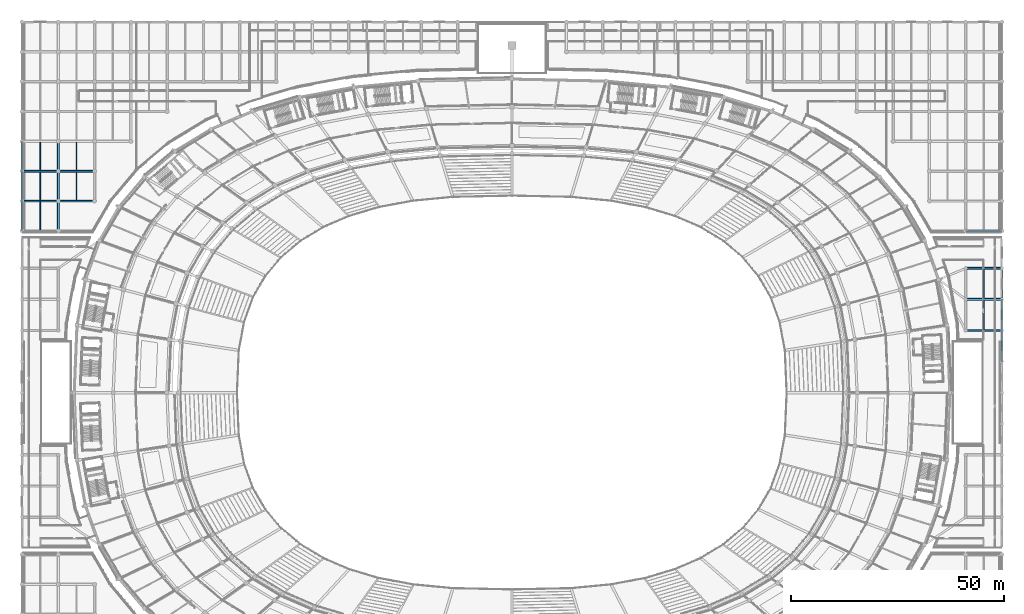
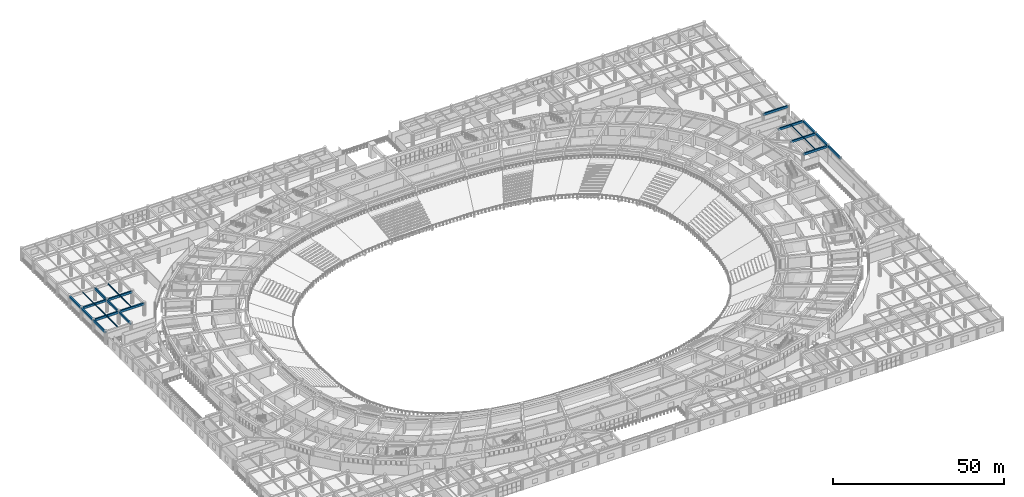
# One storey, part 54 of 152: 24 beams.
"""IFC4 building model written with IfcOpenShell, lengths in metres."""

from ifc_helpers import new_model, si_unit, direction, frame, origin, origin_2d, place, context, subcontext, project, spatial, rectangle, i_section, extrude, material, material_profile, profile_set, type_object, element, save


model = new_model("IFC4")

# Units and contexts
model_context = context("Model", 3, precision=1e-05, world=origin(), true_north=direction((0.0, 1.0)))
body_context = subcontext(model_context, "Body", "Model", "MODEL_VIEW")
ifc_project = project(units=[si_unit("LENGTHUNIT", "METRE"), si_unit("AREAUNIT", "SQUARE_METRE"), si_unit("VOLUMEUNIT", "CUBIC_METRE"), si_unit("PLANEANGLEUNIT", "RADIAN"), si_unit("MASSUNIT", "GRAM", prefix="KILO")], contexts=[model_context])

# Site, building, storey
site_placement = place(None, origin())
site = spatial("IfcSite", under=ifc_project, at=site_placement, CompositionType="ELEMENT")
building_placement = place(site_placement, origin())
building = spatial("IfcBuilding", under=site, at=building_placement, Name="Mphavela Belvedere Stadium", CompositionType="ELEMENT")
storey_placement = place(building_placement, frame((0.0, 0.0, 5.39990234375)))
storey = spatial("IfcBuildingStorey", under=building, at=storey_placement, Name="L01", CompositionType="ELEMENT", Elevation=5.39990234375)

# Beams
ifc_material_1 = material(Name="Steel S355", Category="steel")
ifc_material_profile_1 = material_profile(ifc_material_1, i_section(OverallWidth=0.169921875, OverallDepth=0.360107421875, WebThickness=0.008056640625, FlangeThickness=0.0126953125, at=origin_2d()), Name="IPE 360")
ifc_profile_set_1 = profile_set([ifc_material_profile_1], Name="Steel S355")
beam_type_1 = type_object("IfcBeamType", Name="BM-JOIST-IPE360", PredefinedType="JOIST", material=ifc_profile_set_1)
for number, where, z_axis, x_axis, name in (
    (1, (4.259521484375, 125.22509765625, 4.360107421875), (0.0, 1.0, 0.0), (-1.0, 0.0, 0.0), "North Mast and Ceremonial End Forecourt secondary joist L01 1-1"),
    (2, (4.259521484375, 132.22509765625, 4.360107421875), (0.0, 1.0, 0.0), (-1.0, 0.0, 0.0), "North Mast and Ceremonial End Forecourt secondary joist L01 1-2"),
    (3, (4.259521484375, 139.22509765625, 4.360107421875), (0.0, 1.0, 0.0), (-1.0, 0.0, 0.0), "North Mast and Ceremonial End Forecourt secondary joist L01 1-3"),
    (4, (12.778076171875, 132.22509765625, 4.360107421875), (0.0, 1.0, 0.0), (-1.0, 0.0, 0.0), "North Mast and Ceremonial End Forecourt secondary joist L01 2-2"),
    (5, (12.778076171875, 139.22509765625, 4.360107421875), (0.0, 1.0, 0.0), (-1.0, 0.0, 0.0), "North Mast and Ceremonial End Forecourt secondary joist L01 2-3"),
):
    element("IfcBeam", number, at=place(storey_placement, frame(where, z_axis=z_axis, x_axis=x_axis)), inside=storey, type_object=beam_type_1, Name=name, PredefinedType="JOIST", context=body_context, shape_type="SweptSolid", body=[
        extrude(i_section(OverallWidth=0.169921875, OverallDepth=0.360107421875, WebThickness=0.008056640625, FlangeThickness=0.0126953125, at=origin_2d()), origin(), (0.0, 0.0, 1.0), 6.5498046875),
    ])
for number, where, z_axis, x_axis, name in (
    (6, (225.75, 101.824951171875, 4.360107421875), (0.0, 1.0, 0.0), (-1.0, 0.0, 0.0), "East Planted Eaves Peristyle Colonnade secondary joist L01 8-8"),
    (7, (225.75, 109.125, 4.360107421875), (0.0, 1.0, 0.0), (-1.0, 0.0, 0.0), "East Planted Eaves Peristyle Colonnade secondary joist L01 8-9"),
):
    element("IfcBeam", number, at=place(storey_placement, frame(where, z_axis=z_axis, x_axis=x_axis)), inside=storey, type_object=beam_type_1, Name=name, PredefinedType="JOIST", context=body_context, shape_type="SweptSolid", body=[
        extrude(i_section(OverallWidth=0.169921875, OverallDepth=0.360107421875, WebThickness=0.008056640625, FlangeThickness=0.0126953125, at=origin_2d()), origin(), (0.0, 0.0, 1.0), 6.85009765625),
    ])
ifc_material_2 = material(Name="Concrete C40/50", Category="concrete")
ifc_material_profile_2 = material_profile(ifc_material_2, rectangle(XDim=0.449951171875, YDim=0.75, at=origin_2d()), Name="RC 450x750")
ifc_profile_set_2 = profile_set([ifc_material_profile_2], Name="Concrete C40/50")
beam_type_2 = type_object("IfcBeamType", Name="BM-RC450x750", PredefinedType="BEAM", material=ifc_profile_set_2)
beam_1_placement = place(storey_placement, frame((0.0, 125.0, 4.1650390625), z_axis=(0.0, 1.0, 0.0), x_axis=(-1.0, 0.0, 0.0)))
element("IfcBeam", 8, at=beam_1_placement, inside=storey, type_object=beam_type_2, Name="North Mast and Ceremonial End Forecourt entablature beam Y L01 1-1", PredefinedType="BEAM", context=body_context, shape_type="SweptSolid", body=[
    extrude(rectangle(XDim=0.449951171875, YDim=0.75, at=origin_2d()), origin(), (0.0, 0.0, 1.0), 7.0),
])
beam_2_placement = place(storey_placement, frame((0.0, 132.0, 4.1650390625), z_axis=(1.0, 0.0, 0.0), x_axis=(0.0, 1.0, 0.0)))
element("IfcBeam", 9, at=beam_2_placement, inside=storey, type_object=beam_type_2, Name="North Mast and Ceremonial End Forecourt entablature beam X L01 1-2", PredefinedType="BEAM", context=body_context, shape_type="SweptSolid", body=[
    extrude(rectangle(XDim=0.449951171875, YDim=0.75, at=origin_2d()), origin(), (0.0, 0.0, 1.0), 8.51904296875),
])
beam_3_placement = place(storey_placement, frame((0.0, 132.0, 4.1650390625), z_axis=(0.0, 1.0, 0.0), x_axis=(-1.0, 0.0, 0.0)))
element("IfcBeam", 10, at=beam_3_placement, inside=storey, type_object=beam_type_2, Name="North Mast and Ceremonial End Forecourt entablature beam Y L01 1-2", PredefinedType="BEAM", context=body_context, shape_type="SweptSolid", body=[
    extrude(rectangle(XDim=0.449951171875, YDim=0.75, at=origin_2d()), origin(), (0.0, 0.0, 1.0), 7.0),
])
beam_4_placement = place(storey_placement, frame((0.0, 139.0, 4.1650390625), z_axis=(1.0, 0.0, 0.0), x_axis=(0.0, 1.0, 0.0)))
element("IfcBeam", 11, at=beam_4_placement, inside=storey, type_object=beam_type_2, Name="North Mast and Ceremonial End Forecourt entablature beam X L01 1-3", PredefinedType="BEAM", context=body_context, shape_type="SweptSolid", body=[
    extrude(rectangle(XDim=0.449951171875, YDim=0.75, at=origin_2d()), origin(), (0.0, 0.0, 1.0), 8.51904296875),
])
for number, where, z_axis, x_axis, name in (
    (12, (0.0, 139.0, 4.1650390625), (0.0, 1.0, 0.0), (-1.0, 0.0, 0.0), "North Mast and Ceremonial End Forecourt entablature beam Y L01 1-3"),
    (13, (8.51904296875, 125.0, 4.1650390625), (0.0, 1.0, 0.0), (-1.0, 0.0, 0.0), "North Mast and Ceremonial End Forecourt entablature beam Y L01 2-1"),
):
    element("IfcBeam", number, at=place(storey_placement, frame(where, z_axis=z_axis, x_axis=x_axis)), inside=storey, type_object=beam_type_2, Name=name, PredefinedType="BEAM", context=body_context, shape_type="SweptSolid", body=[
        extrude(rectangle(XDim=0.449951171875, YDim=0.75, at=origin_2d()), origin(), (0.0, 0.0, 1.0), 7.0),
    ])
beam_5_placement = place(storey_placement, frame((8.51904296875, 132.0, 4.1650390625), z_axis=(1.0, 0.0, 0.0), x_axis=(0.0, 1.0, 0.0)))
element("IfcBeam", 14, at=beam_5_placement, inside=storey, type_object=beam_type_2, Name="North Mast and Ceremonial End Forecourt entablature beam X L01 2-2", PredefinedType="BEAM", context=body_context, shape_type="SweptSolid", body=[
    extrude(rectangle(XDim=0.449951171875, YDim=0.75, at=origin_2d()), origin(), (0.0, 0.0, 1.0), 8.51806640625),
])
beam_6_placement = place(storey_placement, frame((8.51904296875, 132.0, 4.1650390625), z_axis=(0.0, 1.0, 0.0), x_axis=(-1.0, 0.0, 0.0)))
element("IfcBeam", 15, at=beam_6_placement, inside=storey, type_object=beam_type_2, Name="North Mast and Ceremonial End Forecourt entablature beam Y L01 2-2", PredefinedType="BEAM", context=body_context, shape_type="SweptSolid", body=[
    extrude(rectangle(XDim=0.449951171875, YDim=0.75, at=origin_2d()), origin(), (0.0, 0.0, 1.0), 7.0),
])
beam_7_placement = place(storey_placement, frame((8.51904296875, 139.0, 4.1650390625), z_axis=(1.0, 0.0, 0.0), x_axis=(0.0, 1.0, 0.0)))
element("IfcBeam", 16, at=beam_7_placement, inside=storey, type_object=beam_type_2, Name="North Mast and Ceremonial End Forecourt entablature beam X L01 2-3", PredefinedType="BEAM", context=body_context, shape_type="SweptSolid", body=[
    extrude(rectangle(XDim=0.449951171875, YDim=0.75, at=origin_2d()), origin(), (0.0, 0.0, 1.0), 8.51806640625),
])
beam_8_placement = place(storey_placement, frame((8.51904296875, 139.0, 4.1650390625), z_axis=(0.0, 1.0, 0.0), x_axis=(-1.0, 0.0, 0.0)))
element("IfcBeam", 17, at=beam_8_placement, inside=storey, type_object=beam_type_2, Name="North Mast and Ceremonial End Forecourt entablature beam Y L01 2-3", PredefinedType="BEAM", context=body_context, shape_type="SweptSolid", body=[
    extrude(rectangle(XDim=0.449951171875, YDim=0.75, at=origin_2d()), origin(), (0.0, 0.0, 1.0), 7.0),
])
beam_9_placement = place(storey_placement, frame((221.48095703125, 125.0, 4.1650390625), z_axis=(1.0, 0.0, 0.0), x_axis=(0.0, 1.0, 0.0)))
element("IfcBeam", 18, at=beam_9_placement, inside=storey, type_object=beam_type_2, Name="North Mast and Ceremonial End Forecourt entablature beam X L01 27-1", PredefinedType="BEAM", context=body_context, shape_type="SweptSolid", body=[
    extrude(rectangle(XDim=0.449951171875, YDim=0.75, at=origin_2d()), origin(), (0.0, 0.0, 1.0), 8.51904296875),
])
for number, where, z_axis, x_axis, name in (
    (19, (221.5, 101.60009765625, 4.1650390625), (1.0, 0.0, 0.0), (0.0, 1.0, 0.0), "East Planted Eaves Peristyle Colonnade entablature beam X L01 8-8"),
    (20, (221.5, 108.89990234375, 4.1650390625), (1.0, 0.0, 0.0), (0.0, 1.0, 0.0), "East Planted Eaves Peristyle Colonnade entablature beam X L01 8-9"),
    (21, (221.5, 116.199951171875, 4.1650390625), (1.0, 0.0, 0.0), (0.0, 1.0, 0.0), "East Planted Eaves Peristyle Colonnade entablature beam X L01 8-10"),
):
    element("IfcBeam", number, at=place(storey_placement, frame(where, z_axis=z_axis, x_axis=x_axis)), inside=storey, type_object=beam_type_2, Name=name, PredefinedType="BEAM", context=body_context, shape_type="SweptSolid", body=[
        extrude(rectangle(XDim=0.449951171875, YDim=0.75, at=origin_2d()), origin(), (0.0, 0.0, 1.0), 8.5),
    ])
beam_10_placement = place(storey_placement, frame((230.0, 94.300048828125, 4.1650390625), z_axis=(0.0, 1.0, 0.0), x_axis=(-1.0, 0.0, 0.0)))
element("IfcBeam", 22, at=beam_10_placement, inside=storey, type_object=beam_type_2, Name="East Planted Eaves Peristyle Colonnade entablature beam Y L01 9-7", PredefinedType="BEAM", context=body_context, shape_type="SweptSolid", body=[
    extrude(rectangle(XDim=0.449951171875, YDim=0.75, at=origin_2d()), origin(), (0.0, 0.0, 1.0), 7.300048828125),
])
beam_11_placement = place(storey_placement, frame((230.0, 101.60009765625, 4.1650390625), z_axis=(0.0, 1.0, 0.0), x_axis=(-1.0, 0.0, 0.0)))
element("IfcBeam", 23, at=beam_11_placement, inside=storey, type_object=beam_type_2, Name="East Planted Eaves Peristyle Colonnade entablature beam Y L01 9-8", PredefinedType="BEAM", context=body_context, shape_type="SweptSolid", body=[
    extrude(rectangle(XDim=0.449951171875, YDim=0.75, at=origin_2d()), origin(), (0.0, 0.0, 1.0), 7.2998046875),
])
beam_12_placement = place(storey_placement, frame((230.0, 108.89990234375, 4.1650390625), z_axis=(0.0, 1.0, 0.0), x_axis=(-1.0, 0.0, 0.0)))
element("IfcBeam", 24, at=beam_12_placement, inside=storey, type_object=beam_type_2, Name="East Planted Eaves Peristyle Colonnade entablature beam Y L01 9-9", PredefinedType="BEAM", context=body_context, shape_type="SweptSolid", body=[
    extrude(rectangle(XDim=0.449951171875, YDim=0.75, at=origin_2d()), origin(), (0.0, 0.0, 1.0), 7.300048828125),
])

save(model, "model.ifc")
